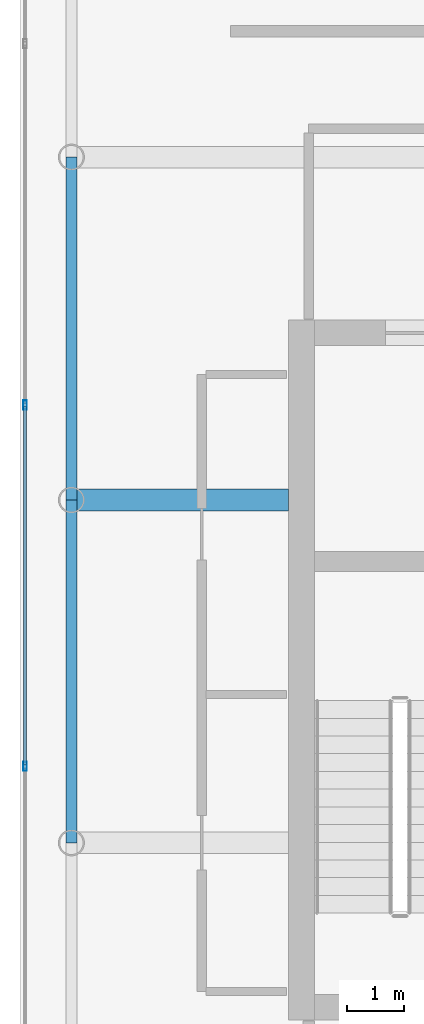
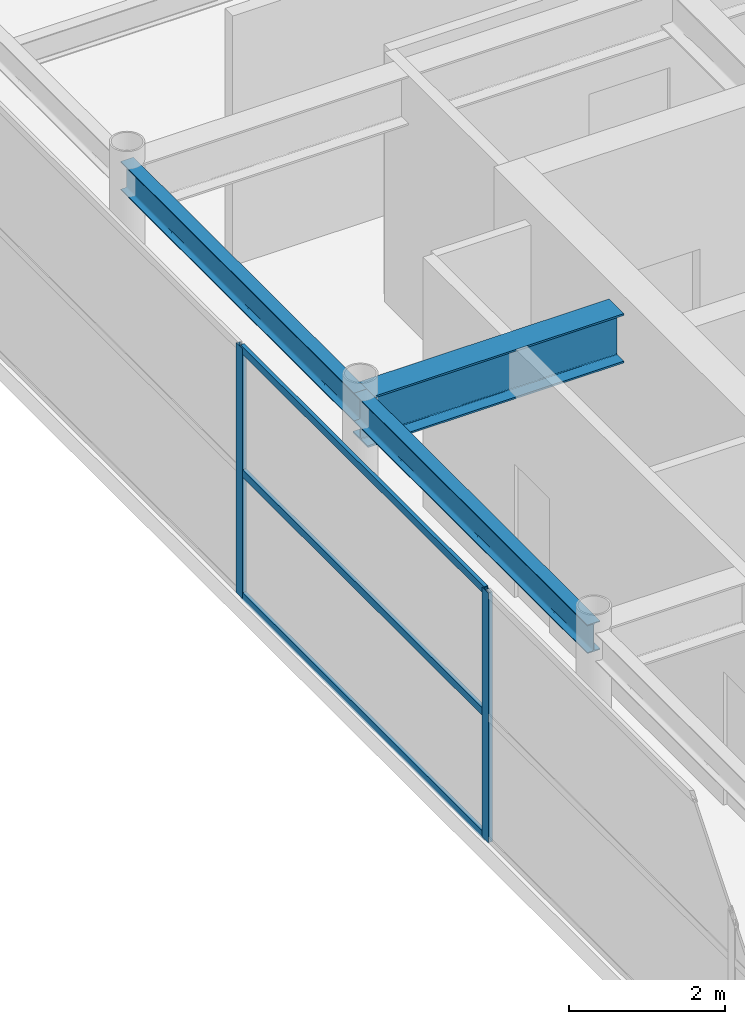
# One storey, part 11 of 32: 5 members, 3 beams, 1 element without a shape of its own.
"""IFC4 building model written with IfcOpenShell, lengths in metres."""

from ifc_helpers import new_model, si_unit, direction, frame, origin, origin_2d, place, context, subcontext, project, spatial, hollow_rectangle, i_section, extrude, source, transform, mapped, material, layer, layer_set, material_profile, profile_set, type_object, element, aggregate, save


model = new_model("IFC4")

# Units and contexts
model_context = context("Model", 3, precision=1e-05, world=origin(), true_north=direction((0.0, 1.0)))
body_context = subcontext(model_context, "Body", "Model", "MODEL_VIEW")
ifc_project = project(units=[si_unit("LENGTHUNIT", "METRE"), si_unit("AREAUNIT", "SQUARE_METRE"), si_unit("VOLUMEUNIT", "CUBIC_METRE"), si_unit("PLANEANGLEUNIT", "RADIAN"), si_unit("MASSUNIT", "GRAM", prefix="KILO")], contexts=[model_context])

# Site, building, storey
site_placement = place(None, origin())
site = spatial("IfcSite", under=ifc_project, at=site_placement, CompositionType="ELEMENT")
building_placement = place(site_placement, origin())
building = spatial("IfcBuilding", under=site, at=building_placement, Name="Khoralis Quay Care Tower", CompositionType="ELEMENT")
storey_placement = place(building_placement, frame((0.0, 0.0, 310.5)))
storey = spatial("IfcBuildingStorey", under=building, at=storey_placement, Name="L81", CompositionType="ELEMENT", Elevation=310.5)

# Beams
ifc_material_1 = material(Name="Steel S355", Category="steel")
ifc_material_profile_1 = material_profile(ifc_material_1, i_section(OverallWidth=0.18994140625, OverallDepth=0.449951171875, WebThickness=0.009521484375, FlangeThickness=0.0146484375, FilletRadius=0.02099609375, at=origin_2d()), Name="Steel S355")
ifc_profile_set_1 = profile_set([ifc_material_profile_1], Name="Steel S355")
beam_type_1 = type_object("IfcBeamType", Name="BM-IPE450", PredefinedType="SPANDREL", material=ifc_profile_set_1)
shared_shape_1 = source(origin(), body_context, "Body", "SweptSolid", [
    extrude(i_section(OverallWidth=0.18994140625, OverallDepth=0.449951171875, WebThickness=0.009521484375, FlangeThickness=0.0146484375, FilletRadius=0.02099609375, at=origin_2d()), origin(), (0.0, 0.0, 1.0), 6.0),
])
for number, where, z_axis, x_axis, name in (
    (1, (3.89990234375, 18.0, 3.695068359375), (0.0, 1.0, 0.0), (-1.0, 0.0, 0.0), "BM-TSP-L81-10"),
    (2, (3.89990234375, 24.0, 3.695068359375), (0.0, 1.0, 0.0), (-1.0, 0.0, 0.0), "BM-TSP-L81-11"),
):
    element("IfcBeam", number, at=place(storey_placement, frame(where, z_axis=z_axis, x_axis=x_axis)), inside=storey, type_object=beam_type_1, Name=name, PredefinedType="SPANDREL", context=body_context, shape_type="MappedRepresentation", body=[
        mapped(shared_shape_1, transform((0.0, 0.0, 0.0), scale=1.0)),
    ])
ifc_material_profile_2 = material_profile(ifc_material_1, i_section(OverallWidth=0.381103515625, OverallDepth=0.77294921875, WebThickness=0.0166015625, FlangeThickness=0.027587890625, FilletRadius=0.02197265625, at=origin_2d()), Name="Steel S355")
ifc_profile_set_2 = profile_set([ifc_material_profile_2], Name="Steel S355")
beam_type_2 = type_object("IfcBeamType", Name="BM-W760X257", PredefinedType="BEAM", material=ifc_profile_set_2)
shared_shape_2 = source(origin(), body_context, "Body", "SweptSolid", [
    extrude(i_section(OverallWidth=0.381103515625, OverallDepth=0.77294921875, WebThickness=0.0166015625, FlangeThickness=0.027587890625, FilletRadius=0.02197265625, at=origin_2d()), origin(), (0.0, 0.0, 1.0), 3.802001953125),
])
beam_placement = place(storey_placement, frame((3.89990234375, 24.0, 3.533447265625), z_axis=(1.0, 0.0, 0.0), x_axis=(0.0, 1.0, 0.0)))
element("IfcBeam", 3, at=beam_placement, inside=storey, type_object=beam_type_2, Name="BM-TGXW-L81-240", PredefinedType="BEAM", context=body_context, shape_type="MappedRepresentation", body=[
    mapped(shared_shape_2, transform((0.0, 0.0, 0.0), scale=1.0)),
])

# Curtain wall, members
ifc_material_2 = material(Name="Pale anodised aluminium", Category="aluminium")
ifc_layer = layer(ifc_material_2, 0.199951171875)
ifc_layer_set = layer_set([ifc_layer], Name="Pale anodised aluminium")
curtain_wall_type = type_object("IfcCurtainWallType", Name="CW-SYS-LANTERN", PredefinedType="NOTDEFINED", material=ifc_layer_set)
curtain_wall_placement = place(storey_placement, origin())
curtain_wall = element("IfcCurtainWall", 4, at=curtain_wall_placement, inside=storey, type_object=curtain_wall_type, Name="L81 Unitised Curtain Wall CW-LN-L81-16", PredefinedType="NOTDEFINED")
ifc_material_profile_3 = material_profile(ifc_material_2, hollow_rectangle(XDim=0.054931640625, YDim=0.1201171875, WallThickness=0.00390625, at=origin_2d()), Name="Pale anodised aluminium")
ifc_profile_set_3 = profile_set([ifc_material_profile_3], Name="Pale anodised aluminium")
member_type_1 = type_object("IfcMemberType", Name="CW-TRN-120", PredefinedType="USERDEFINED", material=ifc_profile_set_3)
shared_shape_3 = source(origin(), body_context, "Body", "SweptSolid", [
    extrude(hollow_rectangle(XDim=0.054931640625, YDim=0.1201171875, WallThickness=0.00390625, at=origin_2d()), origin(), (0.0, 0.0, 1.0), 6.26416015625),
])
member_1_placement = place(storey_placement, frame((3.090087890625, 25.632080078125, 0.030029296875), z_axis=(0.0, -1.0, 0.0), x_axis=(1.0, 0.0, 0.0)))
member_1 = element("IfcMember", 5, at=member_1_placement, type_object=member_type_1, Name="CW5 transom 3.1", ObjectType="TRANSOM", PredefinedType="USERDEFINED", context=body_context, shape_type="MappedRepresentation", body=[
    mapped(shared_shape_3, transform((0.0, 0.0, 0.0), scale=1.0)),
])
member_2_placement = place(storey_placement, frame((3.090087890625, 25.632080078125, 1.9599609375), z_axis=(0.0, -1.0, 0.0), x_axis=(1.0, 0.0, 0.0)))
member_2 = element("IfcMember", 6, at=member_2_placement, type_object=member_type_1, Name="CW5 transom 3.2", ObjectType="TRANSOM", PredefinedType="USERDEFINED", context=body_context, shape_type="MappedRepresentation", body=[
    mapped(shared_shape_3, transform((0.0, 0.0, 0.0), scale=1.0)),
])
member_3_placement = place(storey_placement, frame((3.090087890625, 25.632080078125, 3.889892578125), z_axis=(0.0, -1.0, 0.0), x_axis=(1.0, 0.0, 0.0)))
member_3 = element("IfcMember", 7, at=member_3_placement, type_object=member_type_1, Name="CW5 transom 3.3", ObjectType="TRANSOM", PredefinedType="USERDEFINED", context=body_context, shape_type="MappedRepresentation", body=[
    mapped(shared_shape_3, transform((0.0, 0.0, 0.0), scale=1.0)),
])
ifc_material_profile_4 = material_profile(ifc_material_2, hollow_rectangle(XDim=0.06005859375, YDim=0.159912109375, WallThickness=0.00390625, at=origin_2d()), Name="Pale anodised aluminium")
ifc_profile_set_4 = profile_set([ifc_material_profile_4], Name="Pale anodised aluminium")
member_type_2 = type_object("IfcMemberType", Name="CW-MUL-160", PredefinedType="MULLION", material=ifc_profile_set_4)
shared_shape_4 = source(origin(), body_context, "Body", "SweptSolid", [
    extrude(hollow_rectangle(XDim=0.06005859375, YDim=0.159912109375, WallThickness=0.00390625, at=origin_2d()), origin(), (0.0, 0.0, 1.0), 3.919921875),
])
member_4_placement = place(storey_placement, frame((3.090087890625, 25.662109375, 0.0), z_axis=(0.0, 0.0, 1.0), x_axis=(1.0, 0.0, 0.0)))
member_4 = element("IfcMember", 8, at=member_4_placement, type_object=member_type_2, Name="CW5 mullion 3", PredefinedType="MULLION", context=body_context, shape_type="MappedRepresentation", body=[
    mapped(shared_shape_4, transform((0.0, 0.0, 0.0), scale=1.0)),
])
member_5_placement = place(storey_placement, frame((3.090087890625, 19.337890625, 0.0), z_axis=(0.0, 0.0, 1.0), x_axis=(1.0, 0.0, 0.0)))
member_5 = element("IfcMember", 9, at=member_5_placement, type_object=member_type_2, Name="CW5 mullion 4", PredefinedType="MULLION", context=body_context, shape_type="MappedRepresentation", body=[
    mapped(shared_shape_4, transform((0.0, 0.0, 0.0), scale=1.0)),
])
aggregate(curtain_wall, [member_4, member_5, member_1, member_2, member_3])

save(model, "model.ifc")
